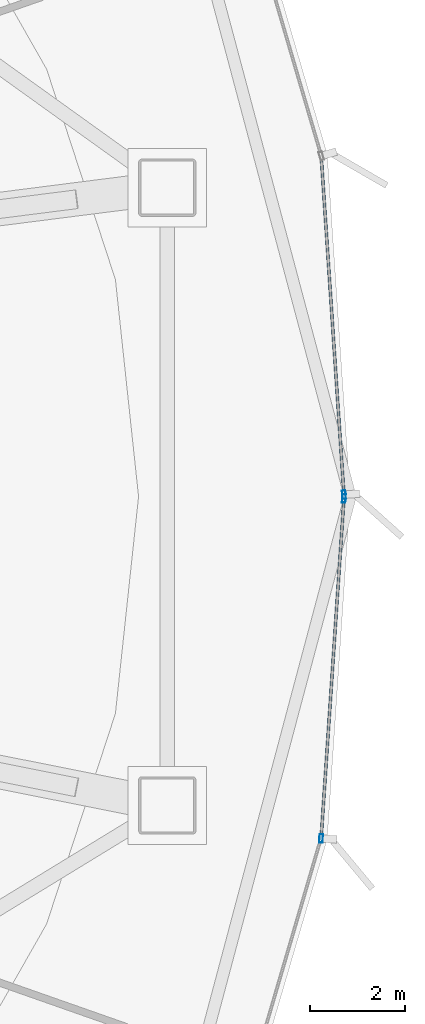
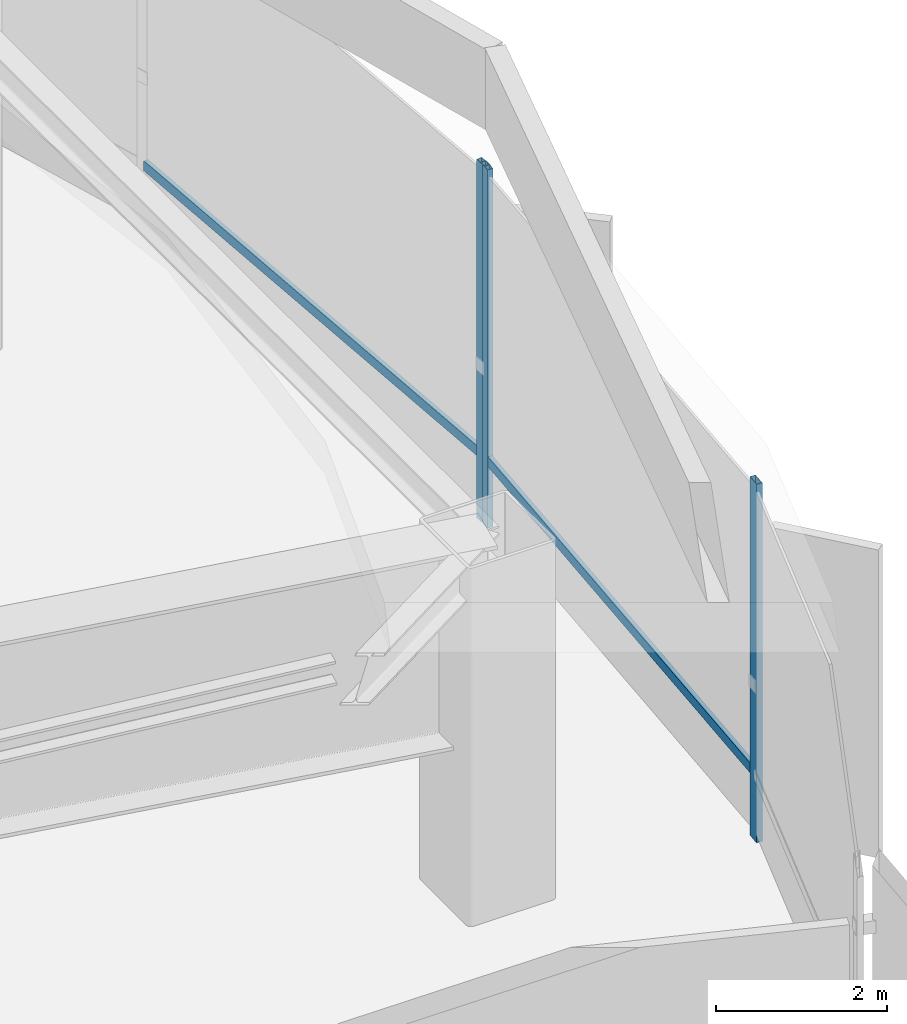
# One storey, part 21 of 36: 5 members, 2 elements without a shape of their own.
"""IFC4 building model written with IfcOpenShell, lengths in metres."""

from ifc_helpers import new_model, si_unit, direction, frame, origin, origin_2d, place, context, subcontext, project, spatial, hollow_rectangle, extrude, source, transform, mapped, material, layer, layer_set, material_profile, profile_set, type_object, element, aggregate, save


model = new_model("IFC4")

# Units and contexts
model_context = context("Model", 3, precision=1e-05, world=origin(), true_north=direction((0.0, 1.0)))
body_context = subcontext(model_context, "Body", "Model", "MODEL_VIEW")
ifc_project = project(units=[si_unit("LENGTHUNIT", "METRE"), si_unit("AREAUNIT", "SQUARE_METRE"), si_unit("VOLUMEUNIT", "CUBIC_METRE"), si_unit("PLANEANGLEUNIT", "RADIAN"), si_unit("MASSUNIT", "GRAM", prefix="KILO"), si_unit("THERMODYNAMICTEMPERATUREUNIT", "KELVIN")], contexts=[model_context])

# Site, building, storey
site_placement = place(None, origin())
site = spatial("IfcSite", under=ifc_project, at=site_placement, CompositionType="ELEMENT")
building_placement = place(site_placement, origin())
building = spatial("IfcBuilding", under=site, at=building_placement, Name="Kethvar Cultural Tower", CompositionType="ELEMENT")
storey_placement = place(building_placement, frame((0.0, 0.0, 24.0)))
storey = spatial("IfcBuildingStorey", under=building, at=storey_placement, Name="L05", CompositionType="ELEMENT", Elevation=24.0)

# Curtain wall, member
ifc_material = material(Name="Aluminium 6063-T6", Category="aluminium")
ifc_layer = layer(ifc_material, 0.179931640625, Name="Aluminium 6063-T6", Category="aluminium")
ifc_layer_set = layer_set([ifc_layer], Name="Aluminium 6063-T6 (180 mm)")
curtain_wall_type = type_object("IfcCurtainWallType", Name="CW-SYS-01-POD", PredefinedType="NOTDEFINED", material=ifc_layer_set)
curtain_wall_1_placement = place(storey_placement, origin())
curtain_wall_1 = element("IfcCurtainWall", 1, at=curtain_wall_1_placement, inside=storey, type_object=curtain_wall_type, Name="L05 Curtain Wall Run 01", PredefinedType="NOTDEFINED")
ifc_material_profile_1 = material_profile(ifc_material, hollow_rectangle(XDim=0.06005859375, YDim=0.139892578125, WallThickness=0.0048828125, at=origin_2d()), Name="Aluminium 6063-T6 — RHS140x60x5")
ifc_profile_set_1 = profile_set([ifc_material_profile_1], Name="Aluminium 6063-T6 — RHS140x60x5")
member_type_1 = type_object("IfcMemberType", Name="CW-SYS-01-POD-TRN", PredefinedType="USERDEFINED", material=ifc_profile_set_1)
shared_shape_1 = source(origin(), body_context, "Body", "SweptSolid", [
    extrude(hollow_rectangle(XDim=0.06005859375, YDim=0.139892578125, WallThickness=0.0048828125, at=origin_2d()), origin(), (0.0, 0.0, 1.0), 7.086669921875),
])
member_1_placement = place(storey_placement, frame((83.066650390625, 27.84521484375, 0.949951171875), z_axis=(-0.067040329347, 0.99775026647, 0.0), x_axis=(-0.99775026647, -0.067040329347, 0.0)))
member_1 = element("IfcMember", 2, at=member_1_placement, type_object=member_type_1, Name="CW-L05-R01 Transom 1", ObjectType="TRANSOM", PredefinedType="USERDEFINED", context=body_context, shape_type="MappedRepresentation", body=[
    mapped(shared_shape_1, transform((0.0, 0.0, 0.0), scale=1.0)),
])

curtain_wall_2_placement = place(storey_placement, origin())
curtain_wall_2 = element("IfcCurtainWall", 3, at=curtain_wall_2_placement, inside=storey, type_object=curtain_wall_type, Name="L05 Curtain Wall Run 06", PredefinedType="NOTDEFINED")
member_2_placement = place(storey_placement, frame((82.591552734375, 20.68408203125, 0.949951171875), z_axis=(0.067040329347, 0.99775026647, 0.0), x_axis=(-0.99775026647, 0.067040329347, 0.0)))
member_2 = element("IfcMember", 4, at=member_2_placement, type_object=member_type_1, Name="CW-L05-R06 Transom 6", ObjectType="TRANSOM", PredefinedType="USERDEFINED", context=body_context, shape_type="MappedRepresentation", body=[
    mapped(shared_shape_1, transform((0.0, 0.0, 0.0), scale=1.0)),
])

# Member
ifc_material_profile_2 = material_profile(ifc_material, hollow_rectangle(XDim=0.074951171875, YDim=0.179931640625, WallThickness=0.006103515625, at=origin_2d()), Name="Aluminium 6063-T6 — RHS180x75x6")
ifc_profile_set_2 = profile_set([ifc_material_profile_2], Name="Aluminium 6063-T6 — RHS180x75x6")
member_type_2 = type_object("IfcMemberType", Name="CW-SYS-01-POD-MUL", PredefinedType="MULLION", material=ifc_profile_set_2)
shared_shape_2 = source(origin(), body_context, "Body", "SweptSolid", [
    extrude(hollow_rectangle(XDim=0.074951171875, YDim=0.179931640625, WallThickness=0.006103515625, at=origin_2d()), origin(), (0.0, 0.0, 1.0), 5.1201171875),
])
member_3_placement = place(storey_placement, frame((83.06689453125, 27.83984375, 0.0), z_axis=(0.0, 0.0, 1.0), x_axis=(-0.997750279374, -0.067040137302, 0.0)))
member_3 = element("IfcMember", 5, at=member_3_placement, type_object=member_type_2, Name="CW-L05-R01 Mullion 1", PredefinedType="MULLION", context=body_context, shape_type="MappedRepresentation", body=[
    mapped(shared_shape_2, transform((0.0, 0.0, 0.0), scale=1.0)),
])

aggregate(curtain_wall_1, [member_3, member_1])

member_4_placement = place(storey_placement, frame((82.587890625, 20.630126953125, 0.0), z_axis=(0.0, 0.0, 1.0), x_axis=(-0.997750279374, 0.067040137302, 0.0)))
member_4 = element("IfcMember", 6, at=member_4_placement, type_object=member_type_2, Name="CW-L05-R06 Mullion 6", PredefinedType="MULLION", context=body_context, shape_type="MappedRepresentation", body=[
    mapped(shared_shape_2, transform((0.0, 0.0, 0.0), scale=1.0)),
])

member_5_placement = place(storey_placement, frame((83.06689453125, 27.760009765625, 0.0), z_axis=(0.0, 0.0, 1.0), x_axis=(-0.997750279374, 0.067040137302, 0.0)))
member_5 = element("IfcMember", 7, at=member_5_placement, type_object=member_type_2, Name="CW-L05-R06 Mullion 7", PredefinedType="MULLION", context=body_context, shape_type="MappedRepresentation", body=[
    mapped(shared_shape_2, transform((0.0, 0.0, 0.0), scale=1.0)),
])

aggregate(curtain_wall_2, [member_4, member_5, member_2])

save(model, "model.ifc")
